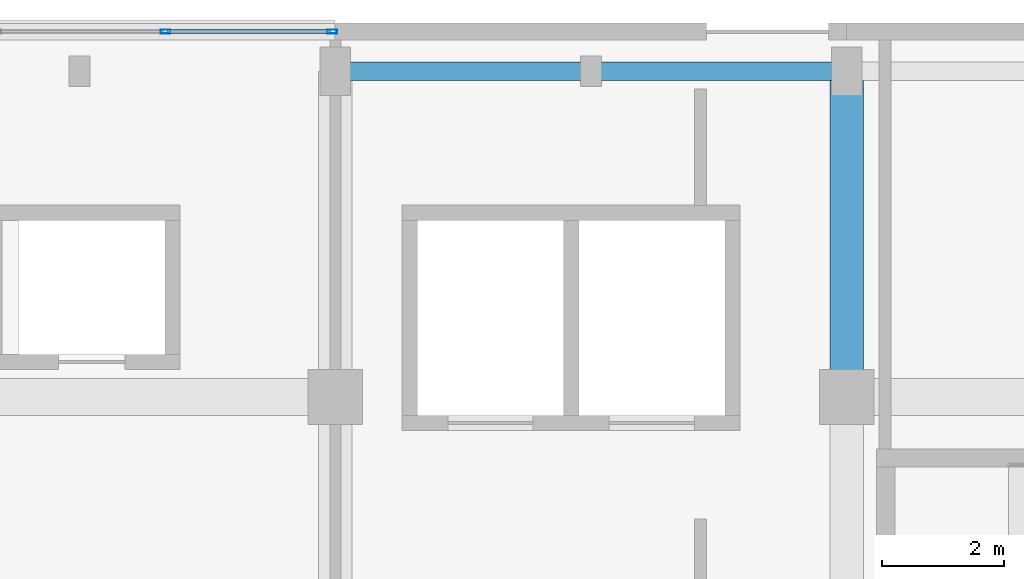
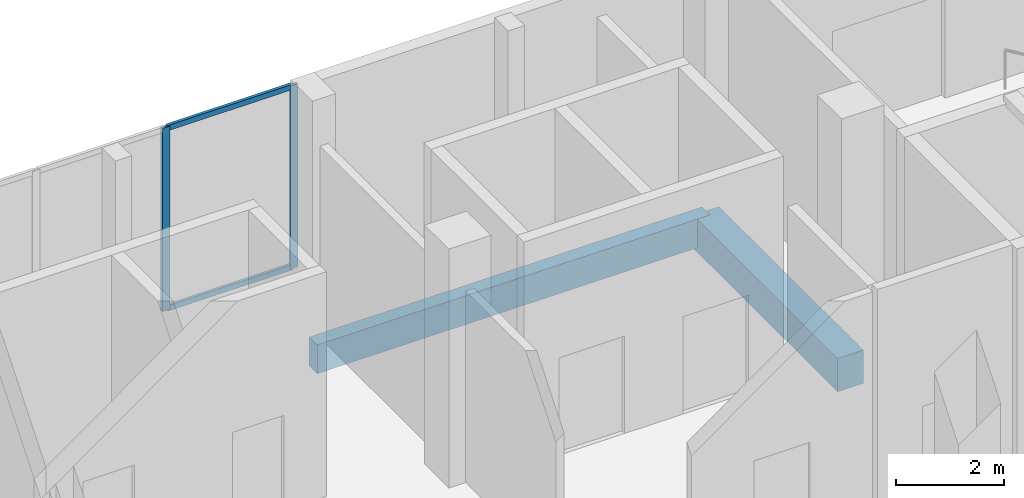
# One storey, part 94 of 158: 4 members, 2 beams, 1 element without a shape of its own.
"""IFC4 building model written with IfcOpenShell, lengths in metres."""

from ifc_helpers import new_model, si_unit, direction, frame, origin, origin_2d, place, context, subcontext, project, spatial, rectangle, hollow_rectangle, extrude, material, material_profile, profile_set, type_object, element, aggregate, save


model = new_model("IFC4")

# Units and contexts
model_context = context("Model", 3, precision=1e-05, world=origin(), true_north=direction((0.0, 1.0)))
body_context = subcontext(model_context, "Body", "Model", "MODEL_VIEW")
ifc_project = project(units=[si_unit("LENGTHUNIT", "METRE"), si_unit("AREAUNIT", "SQUARE_METRE"), si_unit("VOLUMEUNIT", "CUBIC_METRE"), si_unit("PLANEANGLEUNIT", "RADIAN"), si_unit("MASSUNIT", "GRAM", prefix="KILO")], contexts=[model_context])

# Site, building, storey
site_placement = place(None, origin())
site = spatial("IfcSite", under=ifc_project, at=site_placement, CompositionType="ELEMENT")
building_placement = place(site_placement, origin())
building = spatial("IfcBuilding", under=site, at=building_placement, Name="Selatvlak General Hospital", CompositionType="ELEMENT")
storey_placement = place(building_placement, origin())
storey = spatial("IfcBuildingStorey", under=building, at=storey_placement, Name="L00", CompositionType="ELEMENT", Elevation=0.0)

# Beams
ifc_material_1 = material(Name="Concrete C40/50", Category="concrete")
ifc_material_profile_1 = material_profile(ifc_material_1, rectangle(XDim=0.550048828125, YDim=0.75, at=origin_2d()), Name="RC-BM 550x750")
ifc_profile_set_1 = profile_set([ifc_material_profile_1], Name="Concrete C40/50")
beam_type_1 = type_object("IfcBeamType", Name="BM-G02", PredefinedType="BEAM", material=ifc_profile_set_1)
beam_1_placement = place(storey_placement, frame((132.0, 114.0, -0.72509765625), z_axis=(0.0, 1.0, 0.0), x_axis=(-1.0, 0.0, 0.0)))
element("IfcBeam", 1, at=beam_1_placement, inside=storey, type_object=beam_type_1, Name="Beam BMR-L00-0257", PredefinedType="BEAM", context=body_context, shape_type="SweptSolid", body=[
    extrude(rectangle(XDim=0.550048828125, YDim=0.75, at=origin_2d()), origin(), (0.0, 0.0, 1.0), 5.35009765625),
])
ifc_material_profile_2 = material_profile(ifc_material_1, rectangle(XDim=0.300048828125, YDim=0.64990234375, at=origin_2d()), Name="RC-SP 300x650")
ifc_profile_set_2 = profile_set([ifc_material_profile_2], Name="Concrete C40/50")
beam_type_2 = type_object("IfcBeamType", Name="BM-SP1", PredefinedType="SPANDREL", material=ifc_profile_set_2)
beam_2_placement = place(storey_placement, frame((123.60009765625, 119.35009765625, -0.675048828125), z_axis=(1.0, 0.0, 0.0), x_axis=(0.0, 1.0, 0.0)))
element("IfcBeam", 2, at=beam_2_placement, inside=storey, type_object=beam_type_2, Name="Beam BMR-L00-0155", PredefinedType="SPANDREL", context=body_context, shape_type="SweptSolid", body=[
    extrude(rectangle(XDim=0.300048828125, YDim=0.64990234375, at=origin_2d()), origin(), (0.0, 0.0, 1.0), 8.39990234375),
])

# Curtain wall, members
ifc_material_2 = material(Name="Solar-control Low-E double glazing", Category="glass")
curtain_wall_type = type_object("IfcCurtainWallType", Name="CW-CW-02", PredefinedType="USERDEFINED", material=ifc_material_2)
curtain_wall_placement = place(storey_placement, origin())
curtain_wall = element("IfcCurtainWall", 3, at=curtain_wall_placement, inside=storey, type_object=curtain_wall_type, Name="Glazed facade curtain wall CW-L00-0009", ObjectType="UNITISED CURTAIN WALL", PredefinedType="USERDEFINED")
ifc_material_3 = material(Name="Dark anodised aluminium mullion", Category="aluminium")
ifc_material_profile_3 = material_profile(ifc_material_3, hollow_rectangle(XDim=0.06494140625, YDim=0.159912109375, WallThickness=0.00390625, at=origin_2d()), Name="AL-MUL 65x160x4")
ifc_profile_set_3 = profile_set([ifc_material_profile_3], Name="Dark anodised aluminium mullion")
member_type_1 = type_object("IfcMemberType", Name="CWM-01", PredefinedType="MULLION", material=ifc_profile_set_3)
member_1_placement = place(storey_placement, frame((120.810546875, 120.0, 0.93994140625), z_axis=(0.0, 0.0, 1.0), x_axis=(0.0, 1.0, 0.0)))
member_1 = element("IfcMember", 4, at=member_1_placement, type_object=member_type_1, Name="CW-02 mullion 3", PredefinedType="MULLION", context=body_context, shape_type="SweptSolid", body=[
    extrude(hollow_rectangle(XDim=0.06494140625, YDim=0.159912109375, WallThickness=0.00390625, at=origin_2d()), origin(), (0.0, 0.0, 1.0), 4.14013671875),
])
member_2_placement = place(storey_placement, frame((123.551513671875, 120.0, 0.93994140625), z_axis=(0.0, 0.0, 1.0), x_axis=(0.0, 1.0, 0.0)))
member_2 = element("IfcMember", 5, at=member_2_placement, type_object=member_type_1, Name="CW-02 mullion 4", PredefinedType="MULLION", context=body_context, shape_type="SweptSolid", body=[
    extrude(hollow_rectangle(XDim=0.06494140625, YDim=0.159912109375, WallThickness=0.00390625, at=origin_2d()), origin(), (0.0, 0.0, 1.0), 4.14013671875),
])
ifc_material_profile_4 = material_profile(ifc_material_3, hollow_rectangle(XDim=0.06494140625, YDim=0.1201171875, WallThickness=0.00390625, at=origin_2d()), Name="AL-TRN 65x120x4")
ifc_profile_set_4 = profile_set([ifc_material_profile_4], Name="Dark anodised aluminium mullion")
member_type_2 = type_object("IfcMemberType", Name="CWT-01", PredefinedType="USERDEFINED", material=ifc_profile_set_4)
member_3_placement = place(storey_placement, frame((120.84326171875, 120.0, 0.972412109375), z_axis=(1.0, 0.0, 0.0), x_axis=(0.0, 1.0, 0.0)))
member_3 = element("IfcMember", 6, at=member_3_placement, type_object=member_type_2, Name="CW-02 transom 3.1", ObjectType="TRANSOM", PredefinedType="USERDEFINED", context=body_context, shape_type="SweptSolid", body=[
    extrude(hollow_rectangle(XDim=0.06494140625, YDim=0.1201171875, WallThickness=0.00390625, at=origin_2d()), origin(), (0.0, 0.0, 1.0), 2.67578125),
])
member_4_placement = place(storey_placement, frame((120.84326171875, 120.0, 5.047607421875), z_axis=(1.0, 0.0, 0.0), x_axis=(0.0, 1.0, 0.0)))
member_4 = element("IfcMember", 7, at=member_4_placement, type_object=member_type_2, Name="CW-02 transom 3.2", ObjectType="TRANSOM", PredefinedType="USERDEFINED", context=body_context, shape_type="SweptSolid", body=[
    extrude(hollow_rectangle(XDim=0.06494140625, YDim=0.1201171875, WallThickness=0.00390625, at=origin_2d()), origin(), (0.0, 0.0, 1.0), 2.67578125),
])
aggregate(curtain_wall, [member_1, member_2, member_3, member_4])

save(model, "model.ifc")
